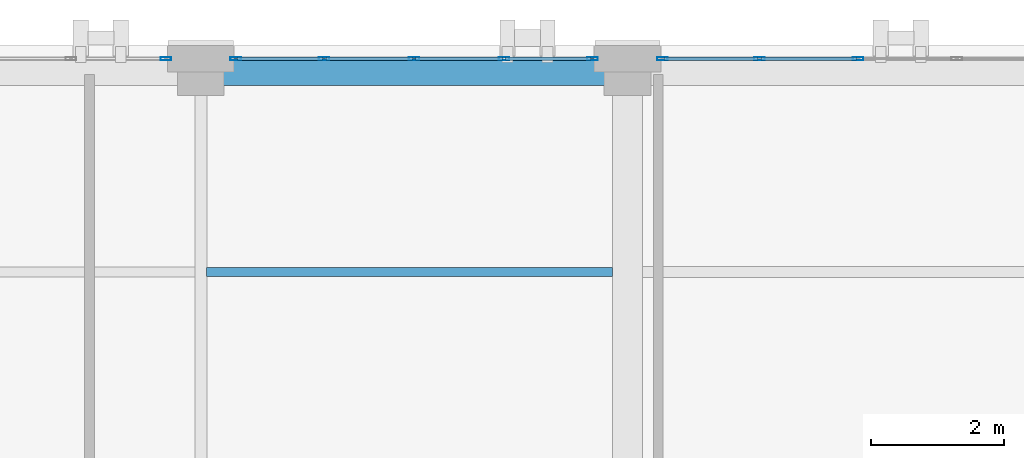
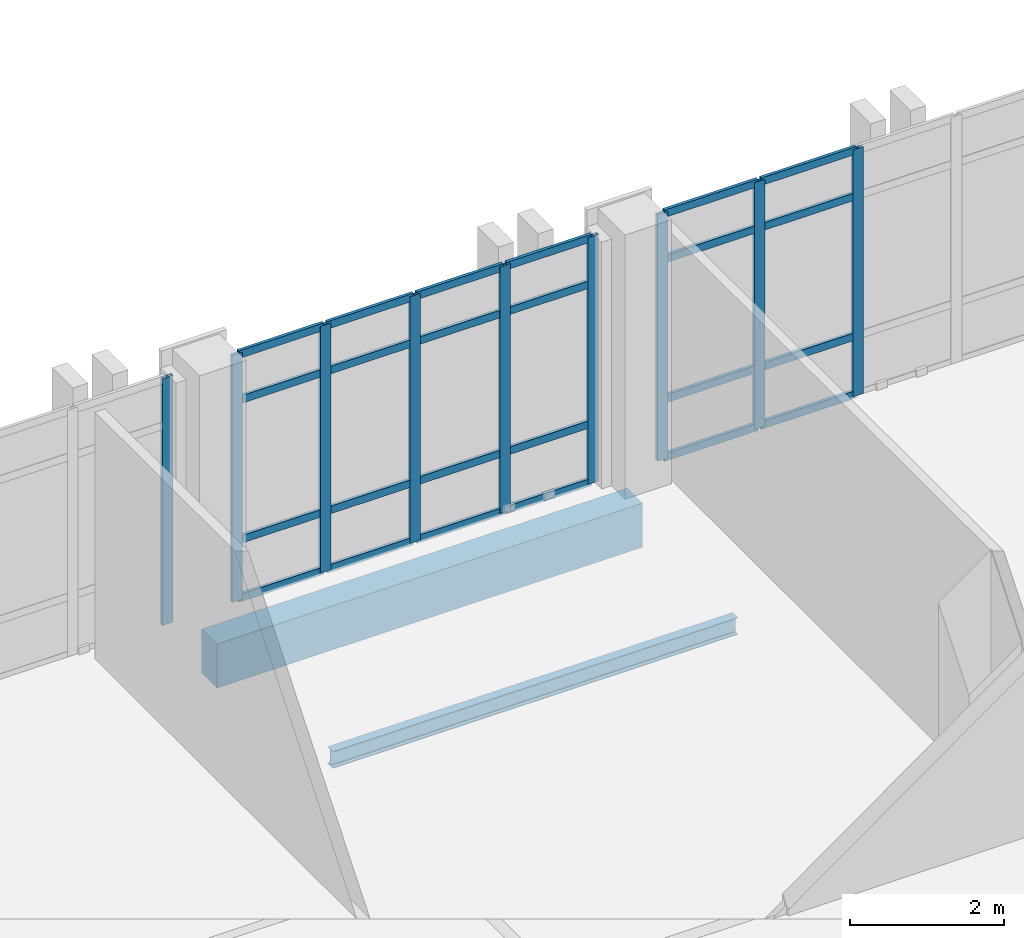
# One storey, part 95 of 158: 33 members, 2 beams, 3 elements without a shape of their own.
"""IFC4 building model written with IfcOpenShell, lengths in metres."""

from ifc_helpers import new_model, si_unit, direction, frame, origin, origin_2d, place, context, subcontext, project, spatial, rectangle, hollow_rectangle, i_section, extrude, material, layer, layer_set, material_profile, profile_set, type_object, element, aggregate, save


model = new_model("IFC4")

# Units and contexts
model_context = context("Model", 3, precision=1e-05, world=origin(), true_north=direction((0.0, 1.0)))
body_context = subcontext(model_context, "Body", "Model", "MODEL_VIEW")
ifc_project = project(units=[si_unit("LENGTHUNIT", "METRE"), si_unit("AREAUNIT", "SQUARE_METRE"), si_unit("VOLUMEUNIT", "CUBIC_METRE"), si_unit("PLANEANGLEUNIT", "RADIAN"), si_unit("MASSUNIT", "GRAM", prefix="KILO")], contexts=[model_context])

# Site, building, storey
site_placement = place(None, origin())
site = spatial("IfcSite", under=ifc_project, at=site_placement, CompositionType="ELEMENT")
building_placement = place(site_placement, origin())
building = spatial("IfcBuilding", under=site, at=building_placement, Name="Qalavern Law Courts", CompositionType="ELEMENT")
storey_placement = place(building_placement, frame((0.0, 0.0, 18.60009765625)))
storey = spatial("IfcBuildingStorey", under=building, at=storey_placement, Name="L04", CompositionType="ELEMENT", Elevation=18.60009765625)

# Curtain wall, members
ifc_material_1 = material(Name="Anodised aluminium and insulated glazing", Category="aluminium")
ifc_layer = layer(ifc_material_1, 0.166015625)
ifc_layer_set = layer_set([ifc_layer], Name="Anodised aluminium and insulated glazing")
curtain_wall_type = type_object("IfcCurtainWallType", Name="ENV-CW-LIB", PredefinedType="USERDEFINED", material=ifc_layer_set)
curtain_wall_1_placement = place(storey_placement, origin())
curtain_wall_1 = element("IfcCurtainWall", 1, at=curtain_wall_1_placement, inside=storey, type_object=curtain_wall_type, Name="V5 unitised curtain wall L04 north 1", ObjectType="UNITISED CURTAIN WALL", PredefinedType="USERDEFINED")
ifc_material_2 = material(Name="Anodised aluminium", Category="aluminium")
ifc_material_profile_1 = material_profile(ifc_material_2, hollow_rectangle(XDim=0.048095703125, YDim=0.159912109375, WallThickness=0.00390625, at=origin_2d()), Name="ALU MULLION 48x160")
ifc_profile_set_1 = profile_set([ifc_material_profile_1], Name="Anodised aluminium")
member_type_1 = type_object("IfcMemberType", Name="ENV-CWM-48x160", PredefinedType="MULLION", material=ifc_profile_set_1)
member_1_placement = place(storey_placement, frame((61.4599609375, 112.800048828125, 0.0), z_axis=(0.0, 0.0, 1.0), x_axis=(0.0, -1.0, 0.0)))
member_1 = element("IfcMember", 2, at=member_1_placement, type_object=member_type_1, Name="CW-05 mullion 4", PredefinedType="MULLION", context=body_context, shape_type="SweptSolid", body=[
    extrude(hollow_rectangle(XDim=0.048095703125, YDim=0.159912109375, WallThickness=0.00390625, at=origin_2d()), origin(), (0.0, 0.0, 1.0), 3.9248046875),
])
member_2_placement = place(storey_placement, frame((59.97998046875, 112.800048828125, 0.0), z_axis=(0.0, 0.0, 1.0), x_axis=(0.0, -1.0, 0.0)))
member_2 = element("IfcMember", 3, at=member_2_placement, type_object=member_type_1, Name="CW-05 mullion 5", PredefinedType="MULLION", context=body_context, shape_type="SweptSolid", body=[
    extrude(hollow_rectangle(XDim=0.048095703125, YDim=0.159912109375, WallThickness=0.00390625, at=origin_2d()), origin(), (0.0, 0.0, 1.0), 3.9248046875),
])
member_3_placement = place(storey_placement, frame((58.52392578125, 112.800048828125, 0.0), z_axis=(0.0, 0.0, 1.0), x_axis=(0.0, -1.0, 0.0)))
member_3 = element("IfcMember", 4, at=member_3_placement, type_object=member_type_1, Name="CW-05 mullion 6", PredefinedType="MULLION", context=body_context, shape_type="SweptSolid", body=[
    extrude(hollow_rectangle(XDim=0.048095703125, YDim=0.159912109375, WallThickness=0.00390625, at=origin_2d()), origin(), (0.0, 0.0, 1.0), 3.9248046875),
])

curtain_wall_2_placement = place(storey_placement, origin())
curtain_wall_2 = element("IfcCurtainWall", 5, at=curtain_wall_2_placement, inside=storey, type_object=curtain_wall_type, Name="V5 unitised curtain wall L04 north 2", ObjectType="UNITISED CURTAIN WALL", PredefinedType="USERDEFINED")
member_4_placement = place(storey_placement, frame((57.47607421875, 112.800048828125, 0.0), z_axis=(0.0, 0.0, 1.0), x_axis=(0.0, -1.0, 0.0)))
member_4 = element("IfcMember", 6, at=member_4_placement, type_object=member_type_1, Name="CW-05 mullion 1", PredefinedType="MULLION", context=body_context, shape_type="SweptSolid", body=[
    extrude(hollow_rectangle(XDim=0.048095703125, YDim=0.159912109375, WallThickness=0.00390625, at=origin_2d()), origin(), (0.0, 0.0, 1.0), 3.9248046875),
])
member_5_placement = place(storey_placement, frame((56.14990234375, 112.800048828125, 0.0), z_axis=(0.0, 0.0, 1.0), x_axis=(0.0, -1.0, 0.0)))
member_5 = element("IfcMember", 7, at=member_5_placement, type_object=member_type_1, Name="CW-05 mullion 2", PredefinedType="MULLION", context=body_context, shape_type="SweptSolid", body=[
    extrude(hollow_rectangle(XDim=0.048095703125, YDim=0.159912109375, WallThickness=0.00390625, at=origin_2d()), origin(), (0.0, 0.0, 1.0), 3.9248046875),
])
member_6_placement = place(storey_placement, frame((54.800048828125, 112.800048828125, 0.0), z_axis=(0.0, 0.0, 1.0), x_axis=(0.0, -1.0, 0.0)))
member_6 = element("IfcMember", 8, at=member_6_placement, type_object=member_type_1, Name="CW-05 mullion 3", PredefinedType="MULLION", context=body_context, shape_type="SweptSolid", body=[
    extrude(hollow_rectangle(XDim=0.048095703125, YDim=0.159912109375, WallThickness=0.00390625, at=origin_2d()), origin(), (0.0, 0.0, 1.0), 3.9248046875),
])
member_7_placement = place(storey_placement, frame((53.449951171875, 112.800048828125, 0.0), z_axis=(0.0, 0.0, 1.0), x_axis=(0.0, -1.0, 0.0)))
member_7 = element("IfcMember", 9, at=member_7_placement, type_object=member_type_1, Name="CW-05 mullion 4", PredefinedType="MULLION", context=body_context, shape_type="SweptSolid", body=[
    extrude(hollow_rectangle(XDim=0.048095703125, YDim=0.159912109375, WallThickness=0.00390625, at=origin_2d()), origin(), (0.0, 0.0, 1.0), 3.9248046875),
])
member_8_placement = place(storey_placement, frame((52.1240234375, 112.800048828125, 0.0), z_axis=(0.0, 0.0, 1.0), x_axis=(0.0, -1.0, 0.0)))
member_8 = element("IfcMember", 10, at=member_8_placement, type_object=member_type_1, Name="CW-05 mullion 5", PredefinedType="MULLION", context=body_context, shape_type="SweptSolid", body=[
    extrude(hollow_rectangle(XDim=0.048095703125, YDim=0.159912109375, WallThickness=0.00390625, at=origin_2d()), origin(), (0.0, 0.0, 1.0), 3.9248046875),
])

# Curtain wall, member
curtain_wall_3_placement = place(storey_placement, origin())
curtain_wall_3 = element("IfcCurtainWall", 11, at=curtain_wall_3_placement, inside=storey, type_object=curtain_wall_type, Name="V5 unitised curtain wall L04 north 3", ObjectType="UNITISED CURTAIN WALL", PredefinedType="USERDEFINED")
member_9_placement = place(storey_placement, frame((51.075927734375, 112.800048828125, 0.0), z_axis=(0.0, 0.0, 1.0), x_axis=(0.0, -1.0, 0.0)))
member_9 = element("IfcMember", 12, at=member_9_placement, type_object=member_type_1, Name="CW-05 mullion 1", PredefinedType="MULLION", context=body_context, shape_type="SweptSolid", body=[
    extrude(hollow_rectangle(XDim=0.048095703125, YDim=0.159912109375, WallThickness=0.00390625, at=origin_2d()), origin(), (0.0, 0.0, 1.0), 3.9248046875),
])
aggregate(curtain_wall_3, [member_9])

# Member
ifc_material_profile_2 = material_profile(ifc_material_2, hollow_rectangle(XDim=0.048095703125, YDim=0.1201171875, WallThickness=0.00390625, at=origin_2d()), Name="ALU TRANSOM 48x120")
ifc_profile_set_2 = profile_set([ifc_material_profile_2], Name="Anodised aluminium")
member_type_2 = type_object("IfcMemberType", Name="ENV-CWT-48x120", PredefinedType="USERDEFINED", material=ifc_profile_set_2)
member_10_placement = place(storey_placement, frame((61.43603515625, 112.800048828125, 0.02392578125), z_axis=(-1.0, 0.0, 0.0), x_axis=(0.0, -1.0, 0.0)))
member_10 = element("IfcMember", 13, at=member_10_placement, type_object=member_type_2, Name="CW-05 transom 4.1", ObjectType="TRANSOM", PredefinedType="USERDEFINED", context=body_context, shape_type="SweptSolid", body=[
    extrude(hollow_rectangle(XDim=0.048095703125, YDim=0.1201171875, WallThickness=0.00390625, at=origin_2d()), origin(), (0.0, 0.0, 1.0), 1.43212890625),
])

member_11_placement = place(storey_placement, frame((61.43603515625, 112.800048828125, 0.949951171875), z_axis=(-1.0, 0.0, 0.0), x_axis=(0.0, -1.0, 0.0)))
member_11 = element("IfcMember", 14, at=member_11_placement, type_object=member_type_2, Name="CW-05 transom 4.2", ObjectType="TRANSOM", PredefinedType="USERDEFINED", context=body_context, shape_type="SweptSolid", body=[
    extrude(hollow_rectangle(XDim=0.048095703125, YDim=0.1201171875, WallThickness=0.00390625, at=origin_2d()), origin(), (0.0, 0.0, 1.0), 1.43212890625),
])

member_12_placement = place(storey_placement, frame((61.43603515625, 112.800048828125, 3.1748046875), z_axis=(-1.0, 0.0, 0.0), x_axis=(0.0, -1.0, 0.0)))
member_12 = element("IfcMember", 15, at=member_12_placement, type_object=member_type_2, Name="CW-05 transom 4.3", ObjectType="TRANSOM", PredefinedType="USERDEFINED", context=body_context, shape_type="SweptSolid", body=[
    extrude(hollow_rectangle(XDim=0.048095703125, YDim=0.1201171875, WallThickness=0.00390625, at=origin_2d()), origin(), (0.0, 0.0, 1.0), 1.43212890625),
])

member_13_placement = place(storey_placement, frame((61.43603515625, 112.800048828125, 3.90087890625), z_axis=(-1.0, 0.0, 0.0), x_axis=(0.0, -1.0, 0.0)))
member_13 = element("IfcMember", 16, at=member_13_placement, type_object=member_type_2, Name="CW-05 transom 4.4", ObjectType="TRANSOM", PredefinedType="USERDEFINED", context=body_context, shape_type="SweptSolid", body=[
    extrude(hollow_rectangle(XDim=0.048095703125, YDim=0.1201171875, WallThickness=0.00390625, at=origin_2d()), origin(), (0.0, 0.0, 1.0), 1.43212890625),
])

member_14_placement = place(storey_placement, frame((59.9560546875, 112.800048828125, 0.02392578125), z_axis=(-1.0, 0.0, 0.0), x_axis=(0.0, -1.0, 0.0)))
member_14 = element("IfcMember", 17, at=member_14_placement, type_object=member_type_2, Name="CW-05 transom 5.1", ObjectType="TRANSOM", PredefinedType="USERDEFINED", context=body_context, shape_type="SweptSolid", body=[
    extrude(hollow_rectangle(XDim=0.048095703125, YDim=0.1201171875, WallThickness=0.00390625, at=origin_2d()), origin(), (0.0, 0.0, 1.0), 1.407958984375),
])

member_15_placement = place(storey_placement, frame((59.9560546875, 112.800048828125, 0.949951171875), z_axis=(-1.0, 0.0, 0.0), x_axis=(0.0, -1.0, 0.0)))
member_15 = element("IfcMember", 18, at=member_15_placement, type_object=member_type_2, Name="CW-05 transom 5.2", ObjectType="TRANSOM", PredefinedType="USERDEFINED", context=body_context, shape_type="SweptSolid", body=[
    extrude(hollow_rectangle(XDim=0.048095703125, YDim=0.1201171875, WallThickness=0.00390625, at=origin_2d()), origin(), (0.0, 0.0, 1.0), 1.407958984375),
])

member_16_placement = place(storey_placement, frame((59.9560546875, 112.800048828125, 3.1748046875), z_axis=(-1.0, 0.0, 0.0), x_axis=(0.0, -1.0, 0.0)))
member_16 = element("IfcMember", 19, at=member_16_placement, type_object=member_type_2, Name="CW-05 transom 5.3", ObjectType="TRANSOM", PredefinedType="USERDEFINED", context=body_context, shape_type="SweptSolid", body=[
    extrude(hollow_rectangle(XDim=0.048095703125, YDim=0.1201171875, WallThickness=0.00390625, at=origin_2d()), origin(), (0.0, 0.0, 1.0), 1.407958984375),
])

member_17_placement = place(storey_placement, frame((59.9560546875, 112.800048828125, 3.90087890625), z_axis=(-1.0, 0.0, 0.0), x_axis=(0.0, -1.0, 0.0)))
member_17 = element("IfcMember", 20, at=member_17_placement, type_object=member_type_2, Name="CW-05 transom 5.4", ObjectType="TRANSOM", PredefinedType="USERDEFINED", context=body_context, shape_type="SweptSolid", body=[
    extrude(hollow_rectangle(XDim=0.048095703125, YDim=0.1201171875, WallThickness=0.00390625, at=origin_2d()), origin(), (0.0, 0.0, 1.0), 1.407958984375),
])

aggregate(curtain_wall_1, [member_1, member_2, member_3, member_10, member_11, member_12, member_13, member_14, member_15, member_16, member_17])

member_18_placement = place(storey_placement, frame((57.451904296875, 112.800048828125, 0.02392578125), z_axis=(-1.0, 0.0, 0.0), x_axis=(0.0, -1.0, 0.0)))
member_18 = element("IfcMember", 21, at=member_18_placement, type_object=member_type_2, Name="CW-05 transom 1.1", ObjectType="TRANSOM", PredefinedType="USERDEFINED", context=body_context, shape_type="SweptSolid", body=[
    extrude(hollow_rectangle(XDim=0.048095703125, YDim=0.1201171875, WallThickness=0.00390625, at=origin_2d()), origin(), (0.0, 0.0, 1.0), 1.27783203125),
])

member_19_placement = place(storey_placement, frame((57.451904296875, 112.800048828125, 0.949951171875), z_axis=(-1.0, 0.0, 0.0), x_axis=(0.0, -1.0, 0.0)))
member_19 = element("IfcMember", 22, at=member_19_placement, type_object=member_type_2, Name="CW-05 transom 1.2", ObjectType="TRANSOM", PredefinedType="USERDEFINED", context=body_context, shape_type="SweptSolid", body=[
    extrude(hollow_rectangle(XDim=0.048095703125, YDim=0.1201171875, WallThickness=0.00390625, at=origin_2d()), origin(), (0.0, 0.0, 1.0), 1.27783203125),
])

member_20_placement = place(storey_placement, frame((57.451904296875, 112.800048828125, 3.1748046875), z_axis=(-1.0, 0.0, 0.0), x_axis=(0.0, -1.0, 0.0)))
member_20 = element("IfcMember", 23, at=member_20_placement, type_object=member_type_2, Name="CW-05 transom 1.3", ObjectType="TRANSOM", PredefinedType="USERDEFINED", context=body_context, shape_type="SweptSolid", body=[
    extrude(hollow_rectangle(XDim=0.048095703125, YDim=0.1201171875, WallThickness=0.00390625, at=origin_2d()), origin(), (0.0, 0.0, 1.0), 1.27783203125),
])

member_21_placement = place(storey_placement, frame((57.451904296875, 112.800048828125, 3.90087890625), z_axis=(-1.0, 0.0, 0.0), x_axis=(0.0, -1.0, 0.0)))
member_21 = element("IfcMember", 24, at=member_21_placement, type_object=member_type_2, Name="CW-05 transom 1.4", ObjectType="TRANSOM", PredefinedType="USERDEFINED", context=body_context, shape_type="SweptSolid", body=[
    extrude(hollow_rectangle(XDim=0.048095703125, YDim=0.1201171875, WallThickness=0.00390625, at=origin_2d()), origin(), (0.0, 0.0, 1.0), 1.27783203125),
])

member_22_placement = place(storey_placement, frame((56.1259765625, 112.800048828125, 0.02392578125), z_axis=(-1.0, 0.0, 0.0), x_axis=(0.0, -1.0, 0.0)))
member_22 = element("IfcMember", 25, at=member_22_placement, type_object=member_type_2, Name="CW-05 transom 2.1", ObjectType="TRANSOM", PredefinedType="USERDEFINED", context=body_context, shape_type="SweptSolid", body=[
    extrude(hollow_rectangle(XDim=0.048095703125, YDim=0.1201171875, WallThickness=0.00390625, at=origin_2d()), origin(), (0.0, 0.0, 1.0), 1.302001953125),
])

member_23_placement = place(storey_placement, frame((56.1259765625, 112.800048828125, 0.949951171875), z_axis=(-1.0, 0.0, 0.0), x_axis=(0.0, -1.0, 0.0)))
member_23 = element("IfcMember", 26, at=member_23_placement, type_object=member_type_2, Name="CW-05 transom 2.2", ObjectType="TRANSOM", PredefinedType="USERDEFINED", context=body_context, shape_type="SweptSolid", body=[
    extrude(hollow_rectangle(XDim=0.048095703125, YDim=0.1201171875, WallThickness=0.00390625, at=origin_2d()), origin(), (0.0, 0.0, 1.0), 1.302001953125),
])

member_24_placement = place(storey_placement, frame((56.1259765625, 112.800048828125, 3.1748046875), z_axis=(-1.0, 0.0, 0.0), x_axis=(0.0, -1.0, 0.0)))
member_24 = element("IfcMember", 27, at=member_24_placement, type_object=member_type_2, Name="CW-05 transom 2.3", ObjectType="TRANSOM", PredefinedType="USERDEFINED", context=body_context, shape_type="SweptSolid", body=[
    extrude(hollow_rectangle(XDim=0.048095703125, YDim=0.1201171875, WallThickness=0.00390625, at=origin_2d()), origin(), (0.0, 0.0, 1.0), 1.302001953125),
])

member_25_placement = place(storey_placement, frame((56.1259765625, 112.800048828125, 3.90087890625), z_axis=(-1.0, 0.0, 0.0), x_axis=(0.0, -1.0, 0.0)))
member_25 = element("IfcMember", 28, at=member_25_placement, type_object=member_type_2, Name="CW-05 transom 2.4", ObjectType="TRANSOM", PredefinedType="USERDEFINED", context=body_context, shape_type="SweptSolid", body=[
    extrude(hollow_rectangle(XDim=0.048095703125, YDim=0.1201171875, WallThickness=0.00390625, at=origin_2d()), origin(), (0.0, 0.0, 1.0), 1.302001953125),
])

member_26_placement = place(storey_placement, frame((54.77587890625, 112.800048828125, 0.02392578125), z_axis=(-1.0, 0.0, 0.0), x_axis=(0.0, -1.0, 0.0)))
member_26 = element("IfcMember", 29, at=member_26_placement, type_object=member_type_2, Name="CW-05 transom 3.1", ObjectType="TRANSOM", PredefinedType="USERDEFINED", context=body_context, shape_type="SweptSolid", body=[
    extrude(hollow_rectangle(XDim=0.048095703125, YDim=0.1201171875, WallThickness=0.00390625, at=origin_2d()), origin(), (0.0, 0.0, 1.0), 1.3017578125),
])

member_27_placement = place(storey_placement, frame((54.77587890625, 112.800048828125, 0.949951171875), z_axis=(-1.0, 0.0, 0.0), x_axis=(0.0, -1.0, 0.0)))
member_27 = element("IfcMember", 30, at=member_27_placement, type_object=member_type_2, Name="CW-05 transom 3.2", ObjectType="TRANSOM", PredefinedType="USERDEFINED", context=body_context, shape_type="SweptSolid", body=[
    extrude(hollow_rectangle(XDim=0.048095703125, YDim=0.1201171875, WallThickness=0.00390625, at=origin_2d()), origin(), (0.0, 0.0, 1.0), 1.3017578125),
])

member_28_placement = place(storey_placement, frame((54.77587890625, 112.800048828125, 3.1748046875), z_axis=(-1.0, 0.0, 0.0), x_axis=(0.0, -1.0, 0.0)))
member_28 = element("IfcMember", 31, at=member_28_placement, type_object=member_type_2, Name="CW-05 transom 3.3", ObjectType="TRANSOM", PredefinedType="USERDEFINED", context=body_context, shape_type="SweptSolid", body=[
    extrude(hollow_rectangle(XDim=0.048095703125, YDim=0.1201171875, WallThickness=0.00390625, at=origin_2d()), origin(), (0.0, 0.0, 1.0), 1.3017578125),
])

member_29_placement = place(storey_placement, frame((54.77587890625, 112.800048828125, 3.90087890625), z_axis=(-1.0, 0.0, 0.0), x_axis=(0.0, -1.0, 0.0)))
member_29 = element("IfcMember", 32, at=member_29_placement, type_object=member_type_2, Name="CW-05 transom 3.4", ObjectType="TRANSOM", PredefinedType="USERDEFINED", context=body_context, shape_type="SweptSolid", body=[
    extrude(hollow_rectangle(XDim=0.048095703125, YDim=0.1201171875, WallThickness=0.00390625, at=origin_2d()), origin(), (0.0, 0.0, 1.0), 1.3017578125),
])

member_30_placement = place(storey_placement, frame((53.426025390625, 112.800048828125, 0.02392578125), z_axis=(-1.0, 0.0, 0.0), x_axis=(0.0, -1.0, 0.0)))
member_30 = element("IfcMember", 33, at=member_30_placement, type_object=member_type_2, Name="CW-05 transom 4.1", ObjectType="TRANSOM", PredefinedType="USERDEFINED", context=body_context, shape_type="SweptSolid", body=[
    extrude(hollow_rectangle(XDim=0.048095703125, YDim=0.1201171875, WallThickness=0.00390625, at=origin_2d()), origin(), (0.0, 0.0, 1.0), 1.278076171875),
])

member_31_placement = place(storey_placement, frame((53.426025390625, 112.800048828125, 0.949951171875), z_axis=(-1.0, 0.0, 0.0), x_axis=(0.0, -1.0, 0.0)))
member_31 = element("IfcMember", 34, at=member_31_placement, type_object=member_type_2, Name="CW-05 transom 4.2", ObjectType="TRANSOM", PredefinedType="USERDEFINED", context=body_context, shape_type="SweptSolid", body=[
    extrude(hollow_rectangle(XDim=0.048095703125, YDim=0.1201171875, WallThickness=0.00390625, at=origin_2d()), origin(), (0.0, 0.0, 1.0), 1.278076171875),
])

member_32_placement = place(storey_placement, frame((53.426025390625, 112.800048828125, 3.1748046875), z_axis=(-1.0, 0.0, 0.0), x_axis=(0.0, -1.0, 0.0)))
member_32 = element("IfcMember", 35, at=member_32_placement, type_object=member_type_2, Name="CW-05 transom 4.3", ObjectType="TRANSOM", PredefinedType="USERDEFINED", context=body_context, shape_type="SweptSolid", body=[
    extrude(hollow_rectangle(XDim=0.048095703125, YDim=0.1201171875, WallThickness=0.00390625, at=origin_2d()), origin(), (0.0, 0.0, 1.0), 1.278076171875),
])

member_33_placement = place(storey_placement, frame((53.426025390625, 112.800048828125, 3.90087890625), z_axis=(-1.0, 0.0, 0.0), x_axis=(0.0, -1.0, 0.0)))
member_33 = element("IfcMember", 36, at=member_33_placement, type_object=member_type_2, Name="CW-05 transom 4.4", ObjectType="TRANSOM", PredefinedType="USERDEFINED", context=body_context, shape_type="SweptSolid", body=[
    extrude(hollow_rectangle(XDim=0.048095703125, YDim=0.1201171875, WallThickness=0.00390625, at=origin_2d()), origin(), (0.0, 0.0, 1.0), 1.278076171875),
])

aggregate(curtain_wall_2, [member_4, member_5, member_6, member_7, member_8, member_18, member_19, member_20, member_21, member_22, member_23, member_24, member_25, member_26, member_27, member_28, member_29, member_30, member_31, member_32, member_33])

# Beams
ifc_material_3 = material(Name="Steel S355", Category="steel")
ifc_material_profile_3 = material_profile(ifc_material_3, i_section(OverallWidth=0.135009765625, OverallDepth=0.27001953125, WebThickness=0.006591796875, FlangeThickness=0.01025390625, FilletRadius=0.014892578125, at=origin_2d()), Name="IPE 270")
ifc_profile_set_3 = profile_set([ifc_material_profile_3], Name="Steel S355")
beam_type_1 = type_object("IfcBeamType", Name="STR-JST-IPE270", PredefinedType="JOIST", material=ifc_profile_set_3)
beam_1_placement = place(storey_placement, frame((51.68798828125, 109.60009765625, -0.4150390625), z_axis=(1.0, 0.0, 0.0), x_axis=(0.0, 1.0, 0.0)))
element("IfcBeam", 37, at=beam_1_placement, inside=storey, type_object=beam_type_1, Name="V5 secondary joist 7.2.2 L04", PredefinedType="JOIST", context=body_context, shape_type="SweptSolid", body=[
    extrude(i_section(OverallWidth=0.135009765625, OverallDepth=0.27001953125, WebThickness=0.006591796875, FlangeThickness=0.01025390625, FilletRadius=0.014892578125, at=origin_2d()), origin(), (0.0, 0.0, 1.0), 6.089111328125),
])
ifc_material_4 = material(Name="Concrete C40/50", Category="concrete")
ifc_material_profile_4 = material_profile(ifc_material_4, rectangle(XDim=0.39990234375, YDim=0.699951171875, at=origin_2d()), Name="RC 400x700")
ifc_profile_set_4 = profile_set([ifc_material_profile_4], Name="Concrete C40/50")
beam_type_2 = type_object("IfcBeamType", Name="STR-SP-RC400x700", PredefinedType="SPANDREL", material=ifc_profile_set_4)
beam_2_placement = place(storey_placement, frame((51.60009765625, 112.60009765625, -0.630126953125), z_axis=(1.0, 0.0, 0.0), x_axis=(0.0, 1.0, 0.0)))
element("IfcBeam", 38, at=beam_2_placement, inside=storey, type_object=beam_type_2, Name="V5 X-beam 3-7 L04", PredefinedType="SPANDREL", context=body_context, shape_type="SweptSolid", body=[
    extrude(rectangle(XDim=0.39990234375, YDim=0.699951171875, at=origin_2d()), origin(), (0.0, 0.0, 1.0), 6.39990234375),
])

save(model, "model.ifc")
